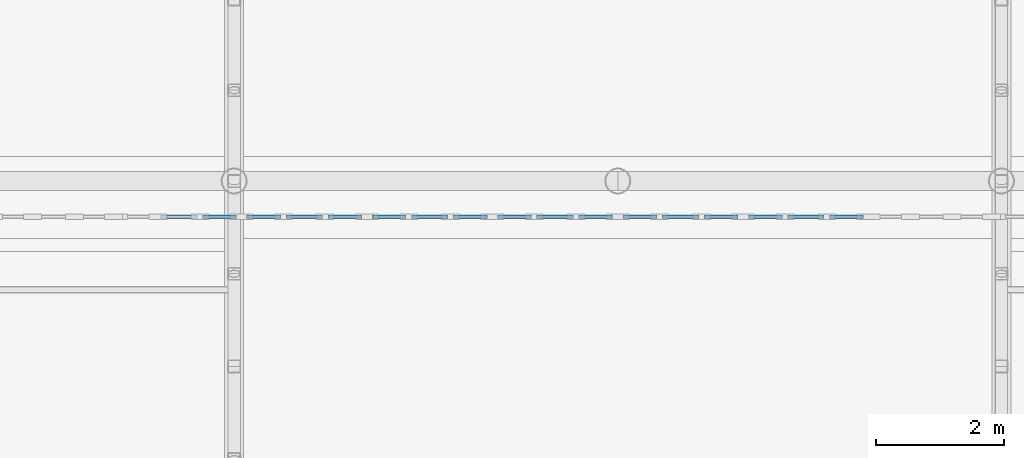
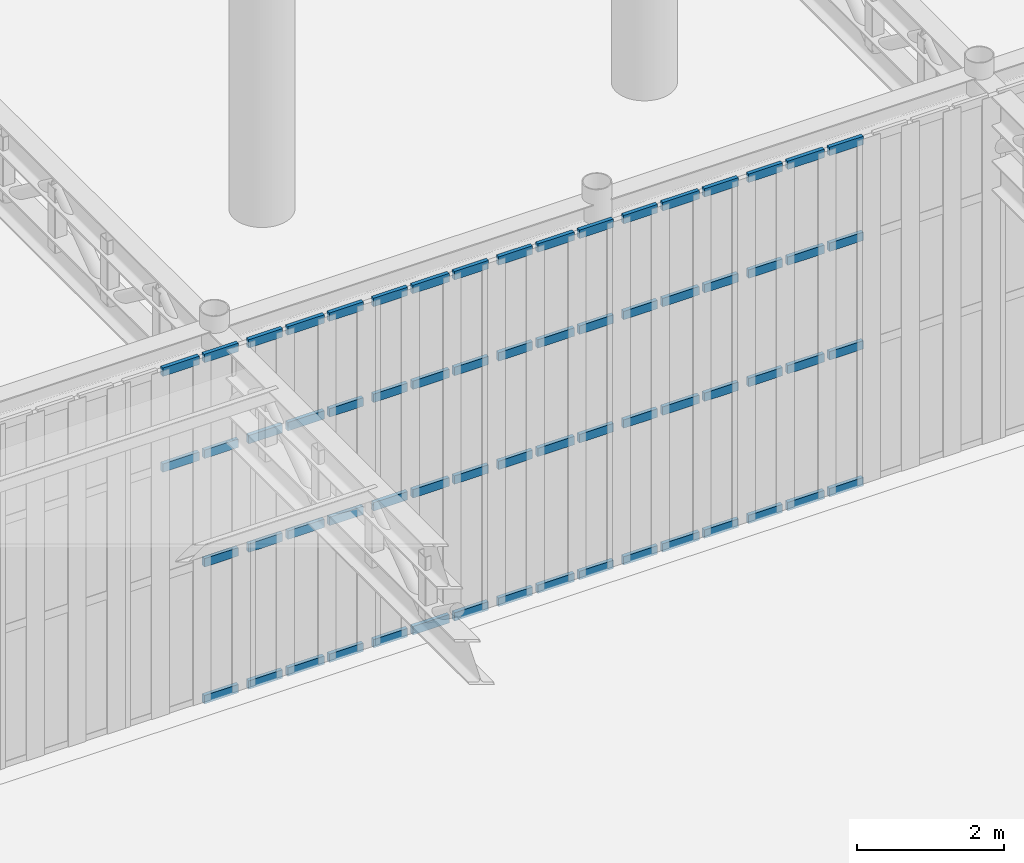
# One storey, part 53 of 118: 66 members, 6 elements without a shape of their own.
"""IFC4 building model written with IfcOpenShell, lengths in metres."""

from ifc_helpers import new_model, si_unit, direction, frame, origin, origin_2d, place, context, subcontext, project, spatial, rectangle, extrude, material, material_profile, profile_set, type_object, element, aggregate, save


model = new_model("IFC4")

# Units and contexts
model_context = context("Model", 3, precision=1e-05, world=origin(), true_north=direction((0.0, 1.0)))
body_context = subcontext(model_context, "Body", "Model", "MODEL_VIEW")
ifc_project = project(units=[si_unit("LENGTHUNIT", "METRE"), si_unit("AREAUNIT", "SQUARE_METRE"), si_unit("VOLUMEUNIT", "CUBIC_METRE"), si_unit("PLANEANGLEUNIT", "RADIAN"), si_unit("MASSUNIT", "GRAM", prefix="KILO")], contexts=[model_context])

# Site, building, storey
site_placement = place(None, origin())
site = spatial("IfcSite", under=ifc_project, at=site_placement, CompositionType="ELEMENT")
building_placement = place(site_placement, origin())
building = spatial("IfcBuilding", under=site, at=building_placement, Name="Kolvaren Corner Interchange", CompositionType="ELEMENT")
storey_placement = place(building_placement, origin())
storey = spatial("IfcBuildingStorey", under=building, at=storey_placement, Name="L01", CompositionType="ELEMENT", Elevation=0.0)

# Curtain wall, members
ifc_material_1 = material(Name="Unitised Aluminium and Solar-Control Glass Curtain Wall", Category="aluminium")
curtain_wall_type = type_object("IfcCurtainWallType", Name="CW-V1-PORTAL", PredefinedType="NOTDEFINED", material=ifc_material_1)
curtain_wall_1_placement = place(storey_placement, origin())
curtain_wall_1 = element("IfcCurtainWall", 1, at=curtain_wall_1_placement, inside=storey, type_object=curtain_wall_type, Name="South Portal Ground Curtain Wall Bay 06", PredefinedType="NOTDEFINED")
ifc_material_2 = material(Name="Anodised Aluminium Framing", Category="aluminium")
ifc_material_profile = material_profile(ifc_material_2, rectangle(XDim=0.06005859375, YDim=0.139892578125, at=origin_2d()), Name="ALU 60x140")
ifc_profile_set = profile_set([ifc_material_profile], Name="Anodised Aluminium Framing")
member_type = type_object("IfcMemberType", Name="TRN-ALU60x140", PredefinedType="USERDEFINED", material=ifc_profile_set)
member_1_placement = place(storey_placement, frame((82.849365234375, 24.340087890625, 4.10009765625), z_axis=(1.0, 0.0, 0.0), x_axis=(0.0, 1.0, 0.0)))
member_1 = element("IfcMember", 2, at=member_1_placement, type_object=member_type, Name="CW-006 transom 2.3", ObjectType="TRANSOM", PredefinedType="USERDEFINED", context=body_context, shape_type="SweptSolid", body=[
    extrude(rectangle(XDim=0.06005859375, YDim=0.139892578125, at=origin_2d()), origin(), (0.0, 0.0, 1.0), 0.57373046875),
])
member_2_placement = place(storey_placement, frame((82.849365234375, 24.340087890625, 5.68994140625), z_axis=(1.0, 0.0, 0.0), x_axis=(0.0, 1.0, 0.0)))
member_2 = element("IfcMember", 3, at=member_2_placement, type_object=member_type, Name="CW-006 transom 2.4", ObjectType="TRANSOM", PredefinedType="USERDEFINED", context=body_context, shape_type="SweptSolid", body=[
    extrude(rectangle(XDim=0.06005859375, YDim=0.139892578125, at=origin_2d()), origin(), (0.0, 0.0, 1.0), 0.57373046875),
])
member_3_placement = place(storey_placement, frame((83.5029296875, 24.340087890625, 0.030029296875), z_axis=(1.0, 0.0, 0.0), x_axis=(0.0, 1.0, 0.0)))
member_3 = element("IfcMember", 4, at=member_3_placement, type_object=member_type, Name="CW-006 transom 3.1", ObjectType="TRANSOM", PredefinedType="USERDEFINED", context=body_context, shape_type="SweptSolid", body=[
    extrude(rectangle(XDim=0.06005859375, YDim=0.139892578125, at=origin_2d()), origin(), (0.0, 0.0, 1.0), 0.53369140625),
])
member_4_placement = place(storey_placement, frame((83.5029296875, 24.340087890625, 2.300048828125), z_axis=(1.0, 0.0, 0.0), x_axis=(0.0, 1.0, 0.0)))
member_4 = element("IfcMember", 5, at=member_4_placement, type_object=member_type, Name="CW-006 transom 3.2", ObjectType="TRANSOM", PredefinedType="USERDEFINED", context=body_context, shape_type="SweptSolid", body=[
    extrude(rectangle(XDim=0.06005859375, YDim=0.139892578125, at=origin_2d()), origin(), (0.0, 0.0, 1.0), 0.53369140625),
])
member_5_placement = place(storey_placement, frame((83.5029296875, 24.340087890625, 4.10009765625), z_axis=(1.0, 0.0, 0.0), x_axis=(0.0, 1.0, 0.0)))
member_5 = element("IfcMember", 6, at=member_5_placement, type_object=member_type, Name="CW-006 transom 3.3", ObjectType="TRANSOM", PredefinedType="USERDEFINED", context=body_context, shape_type="SweptSolid", body=[
    extrude(rectangle(XDim=0.06005859375, YDim=0.139892578125, at=origin_2d()), origin(), (0.0, 0.0, 1.0), 0.53369140625),
])
member_6_placement = place(storey_placement, frame((83.5029296875, 24.340087890625, 5.68994140625), z_axis=(1.0, 0.0, 0.0), x_axis=(0.0, 1.0, 0.0)))
member_6 = element("IfcMember", 7, at=member_6_placement, type_object=member_type, Name="CW-006 transom 3.4", ObjectType="TRANSOM", PredefinedType="USERDEFINED", context=body_context, shape_type="SweptSolid", body=[
    extrude(rectangle(XDim=0.06005859375, YDim=0.139892578125, at=origin_2d()), origin(), (0.0, 0.0, 1.0), 0.53369140625),
])
aggregate(curtain_wall_1, [member_1, member_2, member_3, member_4, member_5, member_6])

curtain_wall_2_placement = place(storey_placement, origin())
curtain_wall_2 = element("IfcCurtainWall", 8, at=curtain_wall_2_placement, inside=storey, type_object=curtain_wall_type, Name="South Portal Ground Curtain Wall Bay 07", PredefinedType="NOTDEFINED")
member_7_placement = place(storey_placement, frame((84.19677734375, 24.340087890625, 0.030029296875), z_axis=(1.0, 0.0, 0.0), x_axis=(0.0, 1.0, 0.0)))
member_7 = element("IfcMember", 9, at=member_7_placement, type_object=member_type, Name="CW-007 transom 1.1", ObjectType="TRANSOM", PredefinedType="USERDEFINED", context=body_context, shape_type="SweptSolid", body=[
    extrude(rectangle(XDim=0.06005859375, YDim=0.139892578125, at=origin_2d()), origin(), (0.0, 0.0, 1.0), 0.53369140625),
])
member_8_placement = place(storey_placement, frame((84.19677734375, 24.340087890625, 2.300048828125), z_axis=(1.0, 0.0, 0.0), x_axis=(0.0, 1.0, 0.0)))
member_8 = element("IfcMember", 10, at=member_8_placement, type_object=member_type, Name="CW-007 transom 1.2", ObjectType="TRANSOM", PredefinedType="USERDEFINED", context=body_context, shape_type="SweptSolid", body=[
    extrude(rectangle(XDim=0.06005859375, YDim=0.139892578125, at=origin_2d()), origin(), (0.0, 0.0, 1.0), 0.53369140625),
])
member_9_placement = place(storey_placement, frame((84.19677734375, 24.340087890625, 4.10009765625), z_axis=(1.0, 0.0, 0.0), x_axis=(0.0, 1.0, 0.0)))
member_9 = element("IfcMember", 11, at=member_9_placement, type_object=member_type, Name="CW-007 transom 1.3", ObjectType="TRANSOM", PredefinedType="USERDEFINED", context=body_context, shape_type="SweptSolid", body=[
    extrude(rectangle(XDim=0.06005859375, YDim=0.139892578125, at=origin_2d()), origin(), (0.0, 0.0, 1.0), 0.53369140625),
])
member_10_placement = place(storey_placement, frame((84.19677734375, 24.340087890625, 5.68994140625), z_axis=(1.0, 0.0, 0.0), x_axis=(0.0, 1.0, 0.0)))
member_10 = element("IfcMember", 12, at=member_10_placement, type_object=member_type, Name="CW-007 transom 1.4", ObjectType="TRANSOM", PredefinedType="USERDEFINED", context=body_context, shape_type="SweptSolid", body=[
    extrude(rectangle(XDim=0.06005859375, YDim=0.139892578125, at=origin_2d()), origin(), (0.0, 0.0, 1.0), 0.53369140625),
])
member_11_placement = place(storey_placement, frame((84.810302734375, 24.340087890625, 0.030029296875), z_axis=(1.0, 0.0, 0.0), x_axis=(0.0, 1.0, 0.0)))
member_11 = element("IfcMember", 13, at=member_11_placement, type_object=member_type, Name="CW-007 transom 2.1", ObjectType="TRANSOM", PredefinedType="USERDEFINED", context=body_context, shape_type="SweptSolid", body=[
    extrude(rectangle(XDim=0.06005859375, YDim=0.139892578125, at=origin_2d()), origin(), (0.0, 0.0, 1.0), 0.57373046875),
])
member_12_placement = place(storey_placement, frame((84.810302734375, 24.340087890625, 2.300048828125), z_axis=(1.0, 0.0, 0.0), x_axis=(0.0, 1.0, 0.0)))
member_12 = element("IfcMember", 14, at=member_12_placement, type_object=member_type, Name="CW-007 transom 2.2", ObjectType="TRANSOM", PredefinedType="USERDEFINED", context=body_context, shape_type="SweptSolid", body=[
    extrude(rectangle(XDim=0.06005859375, YDim=0.139892578125, at=origin_2d()), origin(), (0.0, 0.0, 1.0), 0.57373046875),
])
member_13_placement = place(storey_placement, frame((84.810302734375, 24.340087890625, 4.10009765625), z_axis=(1.0, 0.0, 0.0), x_axis=(0.0, 1.0, 0.0)))
member_13 = element("IfcMember", 15, at=member_13_placement, type_object=member_type, Name="CW-007 transom 2.3", ObjectType="TRANSOM", PredefinedType="USERDEFINED", context=body_context, shape_type="SweptSolid", body=[
    extrude(rectangle(XDim=0.06005859375, YDim=0.139892578125, at=origin_2d()), origin(), (0.0, 0.0, 1.0), 0.57373046875),
])
member_14_placement = place(storey_placement, frame((84.810302734375, 24.340087890625, 5.68994140625), z_axis=(1.0, 0.0, 0.0), x_axis=(0.0, 1.0, 0.0)))
member_14 = element("IfcMember", 16, at=member_14_placement, type_object=member_type, Name="CW-007 transom 2.4", ObjectType="TRANSOM", PredefinedType="USERDEFINED", context=body_context, shape_type="SweptSolid", body=[
    extrude(rectangle(XDim=0.06005859375, YDim=0.139892578125, at=origin_2d()), origin(), (0.0, 0.0, 1.0), 0.57373046875),
])
member_15_placement = place(storey_placement, frame((85.464111328125, 24.340087890625, 0.030029296875), z_axis=(1.0, 0.0, 0.0), x_axis=(0.0, 1.0, 0.0)))
member_15 = element("IfcMember", 17, at=member_15_placement, type_object=member_type, Name="CW-007 transom 3.1", ObjectType="TRANSOM", PredefinedType="USERDEFINED", context=body_context, shape_type="SweptSolid", body=[
    extrude(rectangle(XDim=0.06005859375, YDim=0.139892578125, at=origin_2d()), origin(), (0.0, 0.0, 1.0), 0.53369140625),
])
member_16_placement = place(storey_placement, frame((85.464111328125, 24.340087890625, 2.300048828125), z_axis=(1.0, 0.0, 0.0), x_axis=(0.0, 1.0, 0.0)))
member_16 = element("IfcMember", 18, at=member_16_placement, type_object=member_type, Name="CW-007 transom 3.2", ObjectType="TRANSOM", PredefinedType="USERDEFINED", context=body_context, shape_type="SweptSolid", body=[
    extrude(rectangle(XDim=0.06005859375, YDim=0.139892578125, at=origin_2d()), origin(), (0.0, 0.0, 1.0), 0.53369140625),
])
member_17_placement = place(storey_placement, frame((85.464111328125, 24.340087890625, 4.10009765625), z_axis=(1.0, 0.0, 0.0), x_axis=(0.0, 1.0, 0.0)))
member_17 = element("IfcMember", 19, at=member_17_placement, type_object=member_type, Name="CW-007 transom 3.3", ObjectType="TRANSOM", PredefinedType="USERDEFINED", context=body_context, shape_type="SweptSolid", body=[
    extrude(rectangle(XDim=0.06005859375, YDim=0.139892578125, at=origin_2d()), origin(), (0.0, 0.0, 1.0), 0.53369140625),
])
member_18_placement = place(storey_placement, frame((85.464111328125, 24.340087890625, 5.68994140625), z_axis=(1.0, 0.0, 0.0), x_axis=(0.0, 1.0, 0.0)))
member_18 = element("IfcMember", 20, at=member_18_placement, type_object=member_type, Name="CW-007 transom 3.4", ObjectType="TRANSOM", PredefinedType="USERDEFINED", context=body_context, shape_type="SweptSolid", body=[
    extrude(rectangle(XDim=0.06005859375, YDim=0.139892578125, at=origin_2d()), origin(), (0.0, 0.0, 1.0), 0.53369140625),
])
aggregate(curtain_wall_2, [member_7, member_8, member_9, member_10, member_11, member_12, member_13, member_14, member_15, member_16, member_17, member_18])

curtain_wall_3_placement = place(storey_placement, origin())
curtain_wall_3 = element("IfcCurtainWall", 21, at=curtain_wall_3_placement, inside=storey, type_object=curtain_wall_type, Name="South Portal Ground Curtain Wall Bay 08", PredefinedType="NOTDEFINED")
member_19_placement = place(storey_placement, frame((86.15771484375, 24.340087890625, 0.030029296875), z_axis=(1.0, 0.0, 0.0), x_axis=(0.0, 1.0, 0.0)))
member_19 = element("IfcMember", 22, at=member_19_placement, type_object=member_type, Name="CW-008 transom 1.1", ObjectType="TRANSOM", PredefinedType="USERDEFINED", context=body_context, shape_type="SweptSolid", body=[
    extrude(rectangle(XDim=0.06005859375, YDim=0.139892578125, at=origin_2d()), origin(), (0.0, 0.0, 1.0), 0.53369140625),
])
member_20_placement = place(storey_placement, frame((86.15771484375, 24.340087890625, 2.300048828125), z_axis=(1.0, 0.0, 0.0), x_axis=(0.0, 1.0, 0.0)))
member_20 = element("IfcMember", 23, at=member_20_placement, type_object=member_type, Name="CW-008 transom 1.2", ObjectType="TRANSOM", PredefinedType="USERDEFINED", context=body_context, shape_type="SweptSolid", body=[
    extrude(rectangle(XDim=0.06005859375, YDim=0.139892578125, at=origin_2d()), origin(), (0.0, 0.0, 1.0), 0.53369140625),
])
member_21_placement = place(storey_placement, frame((86.15771484375, 24.340087890625, 4.10009765625), z_axis=(1.0, 0.0, 0.0), x_axis=(0.0, 1.0, 0.0)))
member_21 = element("IfcMember", 24, at=member_21_placement, type_object=member_type, Name="CW-008 transom 1.3", ObjectType="TRANSOM", PredefinedType="USERDEFINED", context=body_context, shape_type="SweptSolid", body=[
    extrude(rectangle(XDim=0.06005859375, YDim=0.139892578125, at=origin_2d()), origin(), (0.0, 0.0, 1.0), 0.53369140625),
])
member_22_placement = place(storey_placement, frame((86.15771484375, 24.340087890625, 5.68994140625), z_axis=(1.0, 0.0, 0.0), x_axis=(0.0, 1.0, 0.0)))
member_22 = element("IfcMember", 25, at=member_22_placement, type_object=member_type, Name="CW-008 transom 1.4", ObjectType="TRANSOM", PredefinedType="USERDEFINED", context=body_context, shape_type="SweptSolid", body=[
    extrude(rectangle(XDim=0.06005859375, YDim=0.139892578125, at=origin_2d()), origin(), (0.0, 0.0, 1.0), 0.53369140625),
])
member_23_placement = place(storey_placement, frame((86.771484375, 24.340087890625, 0.030029296875), z_axis=(1.0, 0.0, 0.0), x_axis=(0.0, 1.0, 0.0)))
member_23 = element("IfcMember", 26, at=member_23_placement, type_object=member_type, Name="CW-008 transom 2.1", ObjectType="TRANSOM", PredefinedType="USERDEFINED", context=body_context, shape_type="SweptSolid", body=[
    extrude(rectangle(XDim=0.06005859375, YDim=0.139892578125, at=origin_2d()), origin(), (0.0, 0.0, 1.0), 0.57373046875),
])
member_24_placement = place(storey_placement, frame((86.771484375, 24.340087890625, 2.300048828125), z_axis=(1.0, 0.0, 0.0), x_axis=(0.0, 1.0, 0.0)))
member_24 = element("IfcMember", 27, at=member_24_placement, type_object=member_type, Name="CW-008 transom 2.2", ObjectType="TRANSOM", PredefinedType="USERDEFINED", context=body_context, shape_type="SweptSolid", body=[
    extrude(rectangle(XDim=0.06005859375, YDim=0.139892578125, at=origin_2d()), origin(), (0.0, 0.0, 1.0), 0.57373046875),
])
member_25_placement = place(storey_placement, frame((86.771484375, 24.340087890625, 4.10009765625), z_axis=(1.0, 0.0, 0.0), x_axis=(0.0, 1.0, 0.0)))
member_25 = element("IfcMember", 28, at=member_25_placement, type_object=member_type, Name="CW-008 transom 2.3", ObjectType="TRANSOM", PredefinedType="USERDEFINED", context=body_context, shape_type="SweptSolid", body=[
    extrude(rectangle(XDim=0.06005859375, YDim=0.139892578125, at=origin_2d()), origin(), (0.0, 0.0, 1.0), 0.57373046875),
])
member_26_placement = place(storey_placement, frame((86.771484375, 24.340087890625, 5.68994140625), z_axis=(1.0, 0.0, 0.0), x_axis=(0.0, 1.0, 0.0)))
member_26 = element("IfcMember", 29, at=member_26_placement, type_object=member_type, Name="CW-008 transom 2.4", ObjectType="TRANSOM", PredefinedType="USERDEFINED", context=body_context, shape_type="SweptSolid", body=[
    extrude(rectangle(XDim=0.06005859375, YDim=0.139892578125, at=origin_2d()), origin(), (0.0, 0.0, 1.0), 0.57373046875),
])
member_27_placement = place(storey_placement, frame((87.42529296875, 24.340087890625, 0.030029296875), z_axis=(1.0, 0.0, 0.0), x_axis=(0.0, 1.0, 0.0)))
member_27 = element("IfcMember", 30, at=member_27_placement, type_object=member_type, Name="CW-008 transom 3.1", ObjectType="TRANSOM", PredefinedType="USERDEFINED", context=body_context, shape_type="SweptSolid", body=[
    extrude(rectangle(XDim=0.06005859375, YDim=0.139892578125, at=origin_2d()), origin(), (0.0, 0.0, 1.0), 0.53369140625),
])
member_28_placement = place(storey_placement, frame((87.42529296875, 24.340087890625, 2.300048828125), z_axis=(1.0, 0.0, 0.0), x_axis=(0.0, 1.0, 0.0)))
member_28 = element("IfcMember", 31, at=member_28_placement, type_object=member_type, Name="CW-008 transom 3.2", ObjectType="TRANSOM", PredefinedType="USERDEFINED", context=body_context, shape_type="SweptSolid", body=[
    extrude(rectangle(XDim=0.06005859375, YDim=0.139892578125, at=origin_2d()), origin(), (0.0, 0.0, 1.0), 0.53369140625),
])
member_29_placement = place(storey_placement, frame((87.42529296875, 24.340087890625, 4.10009765625), z_axis=(1.0, 0.0, 0.0), x_axis=(0.0, 1.0, 0.0)))
member_29 = element("IfcMember", 32, at=member_29_placement, type_object=member_type, Name="CW-008 transom 3.3", ObjectType="TRANSOM", PredefinedType="USERDEFINED", context=body_context, shape_type="SweptSolid", body=[
    extrude(rectangle(XDim=0.06005859375, YDim=0.139892578125, at=origin_2d()), origin(), (0.0, 0.0, 1.0), 0.53369140625),
])
member_30_placement = place(storey_placement, frame((87.42529296875, 24.340087890625, 5.68994140625), z_axis=(1.0, 0.0, 0.0), x_axis=(0.0, 1.0, 0.0)))
member_30 = element("IfcMember", 33, at=member_30_placement, type_object=member_type, Name="CW-008 transom 3.4", ObjectType="TRANSOM", PredefinedType="USERDEFINED", context=body_context, shape_type="SweptSolid", body=[
    extrude(rectangle(XDim=0.06005859375, YDim=0.139892578125, at=origin_2d()), origin(), (0.0, 0.0, 1.0), 0.53369140625),
])
aggregate(curtain_wall_3, [member_19, member_20, member_21, member_22, member_23, member_24, member_25, member_26, member_27, member_28, member_29, member_30])

curtain_wall_4_placement = place(storey_placement, origin())
curtain_wall_4 = element("IfcCurtainWall", 34, at=curtain_wall_4_placement, inside=storey, type_object=curtain_wall_type, Name="South Portal Ground Curtain Wall Bay 09", PredefinedType="NOTDEFINED")
member_31_placement = place(storey_placement, frame((88.118896484375, 24.340087890625, 0.030029296875), z_axis=(1.0, 0.0, 0.0), x_axis=(0.0, 1.0, 0.0)))
member_31 = element("IfcMember", 35, at=member_31_placement, type_object=member_type, Name="CW-009 transom 1.1", ObjectType="TRANSOM", PredefinedType="USERDEFINED", context=body_context, shape_type="SweptSolid", body=[
    extrude(rectangle(XDim=0.06005859375, YDim=0.139892578125, at=origin_2d()), origin(), (0.0, 0.0, 1.0), 0.53369140625),
])
member_32_placement = place(storey_placement, frame((88.118896484375, 24.340087890625, 2.300048828125), z_axis=(1.0, 0.0, 0.0), x_axis=(0.0, 1.0, 0.0)))
member_32 = element("IfcMember", 36, at=member_32_placement, type_object=member_type, Name="CW-009 transom 1.2", ObjectType="TRANSOM", PredefinedType="USERDEFINED", context=body_context, shape_type="SweptSolid", body=[
    extrude(rectangle(XDim=0.06005859375, YDim=0.139892578125, at=origin_2d()), origin(), (0.0, 0.0, 1.0), 0.53369140625),
])
member_33_placement = place(storey_placement, frame((88.118896484375, 24.340087890625, 4.10009765625), z_axis=(1.0, 0.0, 0.0), x_axis=(0.0, 1.0, 0.0)))
member_33 = element("IfcMember", 37, at=member_33_placement, type_object=member_type, Name="CW-009 transom 1.3", ObjectType="TRANSOM", PredefinedType="USERDEFINED", context=body_context, shape_type="SweptSolid", body=[
    extrude(rectangle(XDim=0.06005859375, YDim=0.139892578125, at=origin_2d()), origin(), (0.0, 0.0, 1.0), 0.53369140625),
])
member_34_placement = place(storey_placement, frame((88.118896484375, 24.340087890625, 5.68994140625), z_axis=(1.0, 0.0, 0.0), x_axis=(0.0, 1.0, 0.0)))
member_34 = element("IfcMember", 38, at=member_34_placement, type_object=member_type, Name="CW-009 transom 1.4", ObjectType="TRANSOM", PredefinedType="USERDEFINED", context=body_context, shape_type="SweptSolid", body=[
    extrude(rectangle(XDim=0.06005859375, YDim=0.139892578125, at=origin_2d()), origin(), (0.0, 0.0, 1.0), 0.53369140625),
])
member_35_placement = place(storey_placement, frame((88.732666015625, 24.340087890625, 0.030029296875), z_axis=(1.0, 0.0, 0.0), x_axis=(0.0, 1.0, 0.0)))
member_35 = element("IfcMember", 39, at=member_35_placement, type_object=member_type, Name="CW-009 transom 2.1", ObjectType="TRANSOM", PredefinedType="USERDEFINED", context=body_context, shape_type="SweptSolid", body=[
    extrude(rectangle(XDim=0.06005859375, YDim=0.139892578125, at=origin_2d()), origin(), (0.0, 0.0, 1.0), 0.57373046875),
])
member_36_placement = place(storey_placement, frame((88.732666015625, 24.340087890625, 2.300048828125), z_axis=(1.0, 0.0, 0.0), x_axis=(0.0, 1.0, 0.0)))
member_36 = element("IfcMember", 40, at=member_36_placement, type_object=member_type, Name="CW-009 transom 2.2", ObjectType="TRANSOM", PredefinedType="USERDEFINED", context=body_context, shape_type="SweptSolid", body=[
    extrude(rectangle(XDim=0.06005859375, YDim=0.139892578125, at=origin_2d()), origin(), (0.0, 0.0, 1.0), 0.57373046875),
])
member_37_placement = place(storey_placement, frame((88.732666015625, 24.340087890625, 4.10009765625), z_axis=(1.0, 0.0, 0.0), x_axis=(0.0, 1.0, 0.0)))
member_37 = element("IfcMember", 41, at=member_37_placement, type_object=member_type, Name="CW-009 transom 2.3", ObjectType="TRANSOM", PredefinedType="USERDEFINED", context=body_context, shape_type="SweptSolid", body=[
    extrude(rectangle(XDim=0.06005859375, YDim=0.139892578125, at=origin_2d()), origin(), (0.0, 0.0, 1.0), 0.57373046875),
])
member_38_placement = place(storey_placement, frame((88.732666015625, 24.340087890625, 5.68994140625), z_axis=(1.0, 0.0, 0.0), x_axis=(0.0, 1.0, 0.0)))
member_38 = element("IfcMember", 42, at=member_38_placement, type_object=member_type, Name="CW-009 transom 2.4", ObjectType="TRANSOM", PredefinedType="USERDEFINED", context=body_context, shape_type="SweptSolid", body=[
    extrude(rectangle(XDim=0.06005859375, YDim=0.139892578125, at=origin_2d()), origin(), (0.0, 0.0, 1.0), 0.57373046875),
])
member_39_placement = place(storey_placement, frame((89.38623046875, 24.340087890625, 0.030029296875), z_axis=(1.0, 0.0, 0.0), x_axis=(0.0, 1.0, 0.0)))
member_39 = element("IfcMember", 43, at=member_39_placement, type_object=member_type, Name="CW-009 transom 3.1", ObjectType="TRANSOM", PredefinedType="USERDEFINED", context=body_context, shape_type="SweptSolid", body=[
    extrude(rectangle(XDim=0.06005859375, YDim=0.139892578125, at=origin_2d()), origin(), (0.0, 0.0, 1.0), 0.53369140625),
])
member_40_placement = place(storey_placement, frame((89.38623046875, 24.340087890625, 2.300048828125), z_axis=(1.0, 0.0, 0.0), x_axis=(0.0, 1.0, 0.0)))
member_40 = element("IfcMember", 44, at=member_40_placement, type_object=member_type, Name="CW-009 transom 3.2", ObjectType="TRANSOM", PredefinedType="USERDEFINED", context=body_context, shape_type="SweptSolid", body=[
    extrude(rectangle(XDim=0.06005859375, YDim=0.139892578125, at=origin_2d()), origin(), (0.0, 0.0, 1.0), 0.53369140625),
])
member_41_placement = place(storey_placement, frame((89.38623046875, 24.340087890625, 4.10009765625), z_axis=(1.0, 0.0, 0.0), x_axis=(0.0, 1.0, 0.0)))
member_41 = element("IfcMember", 45, at=member_41_placement, type_object=member_type, Name="CW-009 transom 3.3", ObjectType="TRANSOM", PredefinedType="USERDEFINED", context=body_context, shape_type="SweptSolid", body=[
    extrude(rectangle(XDim=0.06005859375, YDim=0.139892578125, at=origin_2d()), origin(), (0.0, 0.0, 1.0), 0.53369140625),
])
member_42_placement = place(storey_placement, frame((89.38623046875, 24.340087890625, 5.68994140625), z_axis=(1.0, 0.0, 0.0), x_axis=(0.0, 1.0, 0.0)))
member_42 = element("IfcMember", 46, at=member_42_placement, type_object=member_type, Name="CW-009 transom 3.4", ObjectType="TRANSOM", PredefinedType="USERDEFINED", context=body_context, shape_type="SweptSolid", body=[
    extrude(rectangle(XDim=0.06005859375, YDim=0.139892578125, at=origin_2d()), origin(), (0.0, 0.0, 1.0), 0.53369140625),
])
aggregate(curtain_wall_4, [member_31, member_32, member_33, member_34, member_35, member_36, member_37, member_38, member_39, member_40, member_41, member_42])

curtain_wall_5_placement = place(storey_placement, origin())
curtain_wall_5 = element("IfcCurtainWall", 47, at=curtain_wall_5_placement, inside=storey, type_object=curtain_wall_type, Name="South Portal Ground Curtain Wall Bay 10", PredefinedType="NOTDEFINED")
member_43_placement = place(storey_placement, frame((90.080078125, 24.340087890625, 0.030029296875), z_axis=(1.0, 0.0, 0.0), x_axis=(0.0, 1.0, 0.0)))
member_43 = element("IfcMember", 48, at=member_43_placement, type_object=member_type, Name="CW-010 transom 1.1", ObjectType="TRANSOM", PredefinedType="USERDEFINED", context=body_context, shape_type="SweptSolid", body=[
    extrude(rectangle(XDim=0.06005859375, YDim=0.139892578125, at=origin_2d()), origin(), (0.0, 0.0, 1.0), 0.53369140625),
])
member_44_placement = place(storey_placement, frame((90.080078125, 24.340087890625, 2.300048828125), z_axis=(1.0, 0.0, 0.0), x_axis=(0.0, 1.0, 0.0)))
member_44 = element("IfcMember", 49, at=member_44_placement, type_object=member_type, Name="CW-010 transom 1.2", ObjectType="TRANSOM", PredefinedType="USERDEFINED", context=body_context, shape_type="SweptSolid", body=[
    extrude(rectangle(XDim=0.06005859375, YDim=0.139892578125, at=origin_2d()), origin(), (0.0, 0.0, 1.0), 0.53369140625),
])
member_45_placement = place(storey_placement, frame((90.080078125, 24.340087890625, 4.10009765625), z_axis=(1.0, 0.0, 0.0), x_axis=(0.0, 1.0, 0.0)))
member_45 = element("IfcMember", 50, at=member_45_placement, type_object=member_type, Name="CW-010 transom 1.3", ObjectType="TRANSOM", PredefinedType="USERDEFINED", context=body_context, shape_type="SweptSolid", body=[
    extrude(rectangle(XDim=0.06005859375, YDim=0.139892578125, at=origin_2d()), origin(), (0.0, 0.0, 1.0), 0.53369140625),
])
member_46_placement = place(storey_placement, frame((90.080078125, 24.340087890625, 5.68994140625), z_axis=(1.0, 0.0, 0.0), x_axis=(0.0, 1.0, 0.0)))
member_46 = element("IfcMember", 51, at=member_46_placement, type_object=member_type, Name="CW-010 transom 1.4", ObjectType="TRANSOM", PredefinedType="USERDEFINED", context=body_context, shape_type="SweptSolid", body=[
    extrude(rectangle(XDim=0.06005859375, YDim=0.139892578125, at=origin_2d()), origin(), (0.0, 0.0, 1.0), 0.53369140625),
])
member_47_placement = place(storey_placement, frame((90.693603515625, 24.340087890625, 0.030029296875), z_axis=(1.0, 0.0, 0.0), x_axis=(0.0, 1.0, 0.0)))
member_47 = element("IfcMember", 52, at=member_47_placement, type_object=member_type, Name="CW-010 transom 2.1", ObjectType="TRANSOM", PredefinedType="USERDEFINED", context=body_context, shape_type="SweptSolid", body=[
    extrude(rectangle(XDim=0.06005859375, YDim=0.139892578125, at=origin_2d()), origin(), (0.0, 0.0, 1.0), 0.57373046875),
])
member_48_placement = place(storey_placement, frame((90.693603515625, 24.340087890625, 2.300048828125), z_axis=(1.0, 0.0, 0.0), x_axis=(0.0, 1.0, 0.0)))
member_48 = element("IfcMember", 53, at=member_48_placement, type_object=member_type, Name="CW-010 transom 2.2", ObjectType="TRANSOM", PredefinedType="USERDEFINED", context=body_context, shape_type="SweptSolid", body=[
    extrude(rectangle(XDim=0.06005859375, YDim=0.139892578125, at=origin_2d()), origin(), (0.0, 0.0, 1.0), 0.57373046875),
])
member_49_placement = place(storey_placement, frame((90.693603515625, 24.340087890625, 4.10009765625), z_axis=(1.0, 0.0, 0.0), x_axis=(0.0, 1.0, 0.0)))
member_49 = element("IfcMember", 54, at=member_49_placement, type_object=member_type, Name="CW-010 transom 2.3", ObjectType="TRANSOM", PredefinedType="USERDEFINED", context=body_context, shape_type="SweptSolid", body=[
    extrude(rectangle(XDim=0.06005859375, YDim=0.139892578125, at=origin_2d()), origin(), (0.0, 0.0, 1.0), 0.57373046875),
])
member_50_placement = place(storey_placement, frame((90.693603515625, 24.340087890625, 5.68994140625), z_axis=(1.0, 0.0, 0.0), x_axis=(0.0, 1.0, 0.0)))
member_50 = element("IfcMember", 55, at=member_50_placement, type_object=member_type, Name="CW-010 transom 2.4", ObjectType="TRANSOM", PredefinedType="USERDEFINED", context=body_context, shape_type="SweptSolid", body=[
    extrude(rectangle(XDim=0.06005859375, YDim=0.139892578125, at=origin_2d()), origin(), (0.0, 0.0, 1.0), 0.57373046875),
])
member_51_placement = place(storey_placement, frame((91.347412109375, 24.340087890625, 0.030029296875), z_axis=(1.0, 0.0, 0.0), x_axis=(0.0, 1.0, 0.0)))
member_51 = element("IfcMember", 56, at=member_51_placement, type_object=member_type, Name="CW-010 transom 3.1", ObjectType="TRANSOM", PredefinedType="USERDEFINED", context=body_context, shape_type="SweptSolid", body=[
    extrude(rectangle(XDim=0.06005859375, YDim=0.139892578125, at=origin_2d()), origin(), (0.0, 0.0, 1.0), 0.53369140625),
])
member_52_placement = place(storey_placement, frame((91.347412109375, 24.340087890625, 2.300048828125), z_axis=(1.0, 0.0, 0.0), x_axis=(0.0, 1.0, 0.0)))
member_52 = element("IfcMember", 57, at=member_52_placement, type_object=member_type, Name="CW-010 transom 3.2", ObjectType="TRANSOM", PredefinedType="USERDEFINED", context=body_context, shape_type="SweptSolid", body=[
    extrude(rectangle(XDim=0.06005859375, YDim=0.139892578125, at=origin_2d()), origin(), (0.0, 0.0, 1.0), 0.53369140625),
])
member_53_placement = place(storey_placement, frame((91.347412109375, 24.340087890625, 4.10009765625), z_axis=(1.0, 0.0, 0.0), x_axis=(0.0, 1.0, 0.0)))
member_53 = element("IfcMember", 58, at=member_53_placement, type_object=member_type, Name="CW-010 transom 3.3", ObjectType="TRANSOM", PredefinedType="USERDEFINED", context=body_context, shape_type="SweptSolid", body=[
    extrude(rectangle(XDim=0.06005859375, YDim=0.139892578125, at=origin_2d()), origin(), (0.0, 0.0, 1.0), 0.53369140625),
])
member_54_placement = place(storey_placement, frame((91.347412109375, 24.340087890625, 5.68994140625), z_axis=(1.0, 0.0, 0.0), x_axis=(0.0, 1.0, 0.0)))
member_54 = element("IfcMember", 59, at=member_54_placement, type_object=member_type, Name="CW-010 transom 3.4", ObjectType="TRANSOM", PredefinedType="USERDEFINED", context=body_context, shape_type="SweptSolid", body=[
    extrude(rectangle(XDim=0.06005859375, YDim=0.139892578125, at=origin_2d()), origin(), (0.0, 0.0, 1.0), 0.53369140625),
])
aggregate(curtain_wall_5, [member_43, member_44, member_45, member_46, member_47, member_48, member_49, member_50, member_51, member_52, member_53, member_54])

curtain_wall_6_placement = place(storey_placement, origin())
curtain_wall_6 = element("IfcCurtainWall", 60, at=curtain_wall_6_placement, inside=storey, type_object=curtain_wall_type, Name="South Portal Ground Curtain Wall Bay 11", PredefinedType="NOTDEFINED")
member_55_placement = place(storey_placement, frame((92.041015625, 24.340087890625, 0.030029296875), z_axis=(1.0, 0.0, 0.0), x_axis=(0.0, 1.0, 0.0)))
member_55 = element("IfcMember", 61, at=member_55_placement, type_object=member_type, Name="CW-011 transom 1.1", ObjectType="TRANSOM", PredefinedType="USERDEFINED", context=body_context, shape_type="SweptSolid", body=[
    extrude(rectangle(XDim=0.06005859375, YDim=0.139892578125, at=origin_2d()), origin(), (0.0, 0.0, 1.0), 0.53369140625),
])
member_56_placement = place(storey_placement, frame((92.041015625, 24.340087890625, 2.300048828125), z_axis=(1.0, 0.0, 0.0), x_axis=(0.0, 1.0, 0.0)))
member_56 = element("IfcMember", 62, at=member_56_placement, type_object=member_type, Name="CW-011 transom 1.2", ObjectType="TRANSOM", PredefinedType="USERDEFINED", context=body_context, shape_type="SweptSolid", body=[
    extrude(rectangle(XDim=0.06005859375, YDim=0.139892578125, at=origin_2d()), origin(), (0.0, 0.0, 1.0), 0.53369140625),
])
member_57_placement = place(storey_placement, frame((92.041015625, 24.340087890625, 4.10009765625), z_axis=(1.0, 0.0, 0.0), x_axis=(0.0, 1.0, 0.0)))
member_57 = element("IfcMember", 63, at=member_57_placement, type_object=member_type, Name="CW-011 transom 1.3", ObjectType="TRANSOM", PredefinedType="USERDEFINED", context=body_context, shape_type="SweptSolid", body=[
    extrude(rectangle(XDim=0.06005859375, YDim=0.139892578125, at=origin_2d()), origin(), (0.0, 0.0, 1.0), 0.53369140625),
])
member_58_placement = place(storey_placement, frame((92.041015625, 24.340087890625, 5.68994140625), z_axis=(1.0, 0.0, 0.0), x_axis=(0.0, 1.0, 0.0)))
member_58 = element("IfcMember", 64, at=member_58_placement, type_object=member_type, Name="CW-011 transom 1.4", ObjectType="TRANSOM", PredefinedType="USERDEFINED", context=body_context, shape_type="SweptSolid", body=[
    extrude(rectangle(XDim=0.06005859375, YDim=0.139892578125, at=origin_2d()), origin(), (0.0, 0.0, 1.0), 0.53369140625),
])
member_59_placement = place(storey_placement, frame((92.65478515625, 24.340087890625, 0.030029296875), z_axis=(1.0, 0.0, 0.0), x_axis=(0.0, 1.0, 0.0)))
member_59 = element("IfcMember", 65, at=member_59_placement, type_object=member_type, Name="CW-011 transom 2.1", ObjectType="TRANSOM", PredefinedType="USERDEFINED", context=body_context, shape_type="SweptSolid", body=[
    extrude(rectangle(XDim=0.06005859375, YDim=0.139892578125, at=origin_2d()), origin(), (0.0, 0.0, 1.0), 0.57373046875),
])
member_60_placement = place(storey_placement, frame((92.65478515625, 24.340087890625, 2.300048828125), z_axis=(1.0, 0.0, 0.0), x_axis=(0.0, 1.0, 0.0)))
member_60 = element("IfcMember", 66, at=member_60_placement, type_object=member_type, Name="CW-011 transom 2.2", ObjectType="TRANSOM", PredefinedType="USERDEFINED", context=body_context, shape_type="SweptSolid", body=[
    extrude(rectangle(XDim=0.06005859375, YDim=0.139892578125, at=origin_2d()), origin(), (0.0, 0.0, 1.0), 0.57373046875),
])
member_61_placement = place(storey_placement, frame((92.65478515625, 24.340087890625, 4.10009765625), z_axis=(1.0, 0.0, 0.0), x_axis=(0.0, 1.0, 0.0)))
member_61 = element("IfcMember", 67, at=member_61_placement, type_object=member_type, Name="CW-011 transom 2.3", ObjectType="TRANSOM", PredefinedType="USERDEFINED", context=body_context, shape_type="SweptSolid", body=[
    extrude(rectangle(XDim=0.06005859375, YDim=0.139892578125, at=origin_2d()), origin(), (0.0, 0.0, 1.0), 0.57373046875),
])
member_62_placement = place(storey_placement, frame((92.65478515625, 24.340087890625, 5.68994140625), z_axis=(1.0, 0.0, 0.0), x_axis=(0.0, 1.0, 0.0)))
member_62 = element("IfcMember", 68, at=member_62_placement, type_object=member_type, Name="CW-011 transom 2.4", ObjectType="TRANSOM", PredefinedType="USERDEFINED", context=body_context, shape_type="SweptSolid", body=[
    extrude(rectangle(XDim=0.06005859375, YDim=0.139892578125, at=origin_2d()), origin(), (0.0, 0.0, 1.0), 0.57373046875),
])
member_63_placement = place(storey_placement, frame((93.30859375, 24.340087890625, 0.030029296875), z_axis=(1.0, 0.0, 0.0), x_axis=(0.0, 1.0, 0.0)))
member_63 = element("IfcMember", 69, at=member_63_placement, type_object=member_type, Name="CW-011 transom 3.1", ObjectType="TRANSOM", PredefinedType="USERDEFINED", context=body_context, shape_type="SweptSolid", body=[
    extrude(rectangle(XDim=0.06005859375, YDim=0.139892578125, at=origin_2d()), origin(), (0.0, 0.0, 1.0), 0.53369140625),
])
member_64_placement = place(storey_placement, frame((93.30859375, 24.340087890625, 2.300048828125), z_axis=(1.0, 0.0, 0.0), x_axis=(0.0, 1.0, 0.0)))
member_64 = element("IfcMember", 70, at=member_64_placement, type_object=member_type, Name="CW-011 transom 3.2", ObjectType="TRANSOM", PredefinedType="USERDEFINED", context=body_context, shape_type="SweptSolid", body=[
    extrude(rectangle(XDim=0.06005859375, YDim=0.139892578125, at=origin_2d()), origin(), (0.0, 0.0, 1.0), 0.53369140625),
])
member_65_placement = place(storey_placement, frame((93.30859375, 24.340087890625, 4.10009765625), z_axis=(1.0, 0.0, 0.0), x_axis=(0.0, 1.0, 0.0)))
member_65 = element("IfcMember", 71, at=member_65_placement, type_object=member_type, Name="CW-011 transom 3.3", ObjectType="TRANSOM", PredefinedType="USERDEFINED", context=body_context, shape_type="SweptSolid", body=[
    extrude(rectangle(XDim=0.06005859375, YDim=0.139892578125, at=origin_2d()), origin(), (0.0, 0.0, 1.0), 0.53369140625),
])
member_66_placement = place(storey_placement, frame((93.30859375, 24.340087890625, 5.68994140625), z_axis=(1.0, 0.0, 0.0), x_axis=(0.0, 1.0, 0.0)))
member_66 = element("IfcMember", 72, at=member_66_placement, type_object=member_type, Name="CW-011 transom 3.4", ObjectType="TRANSOM", PredefinedType="USERDEFINED", context=body_context, shape_type="SweptSolid", body=[
    extrude(rectangle(XDim=0.06005859375, YDim=0.139892578125, at=origin_2d()), origin(), (0.0, 0.0, 1.0), 0.53369140625),
])
aggregate(curtain_wall_6, [member_55, member_56, member_57, member_58, member_59, member_60, member_61, member_62, member_63, member_64, member_65, member_66])

save(model, "model.ifc")
